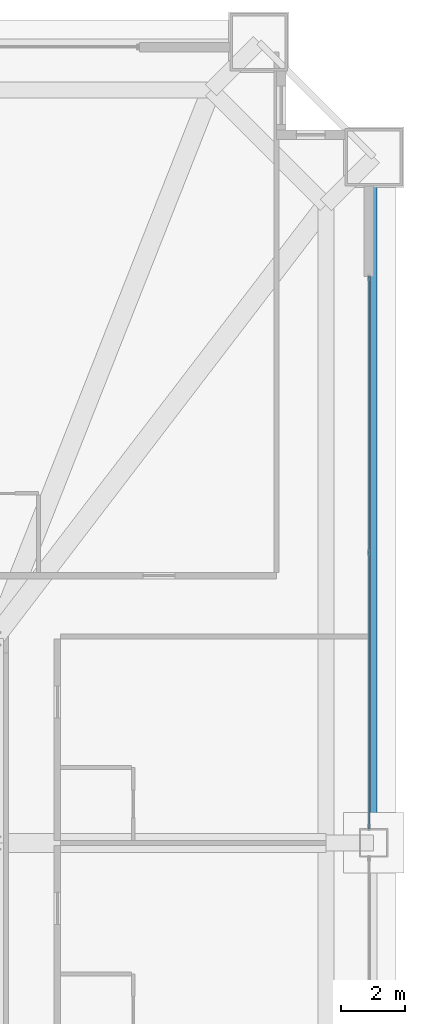
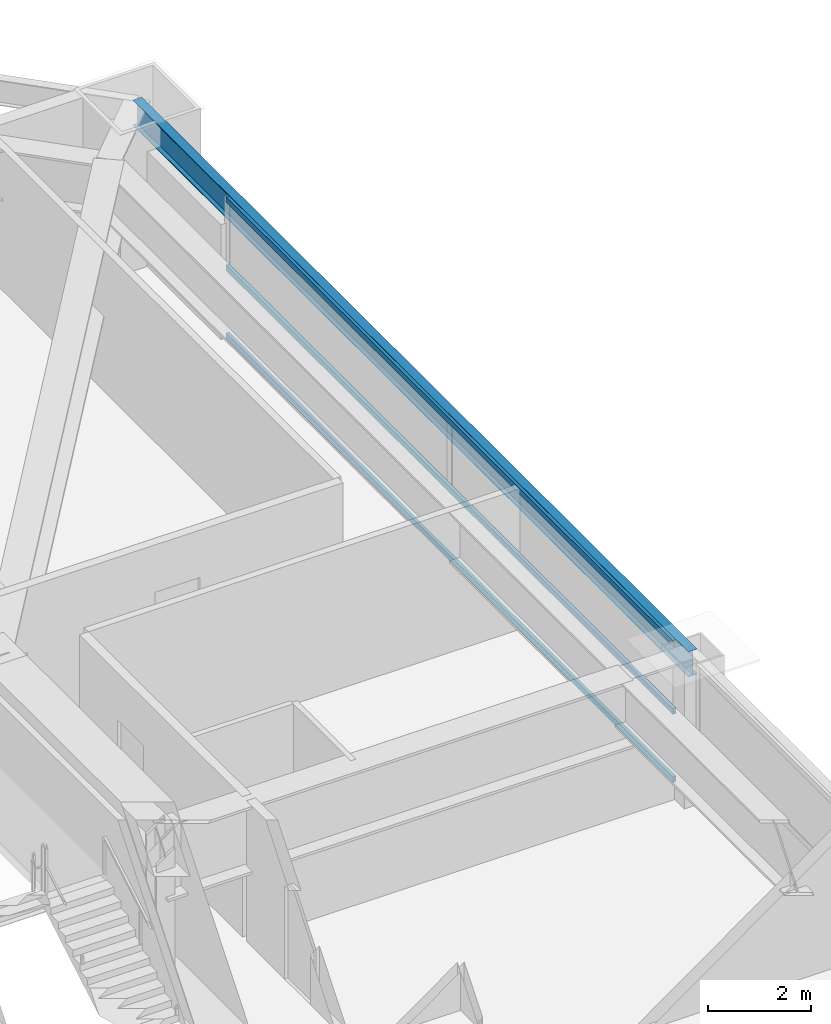
# One storey, part 33 of 44: 3 members, 1 beam, 1 element without a shape of its own.
"""IFC4 building model written with IfcOpenShell, lengths in metres."""

from ifc_helpers import new_model, si_unit, direction, frame, origin, origin_2d, place, context, subcontext, project, spatial, hollow_rectangle, i_section, extrude, source, transform, mapped, material, layer, layer_set, material_profile, profile_set, type_object, element, aggregate, save


model = new_model("IFC4")

# Units and contexts
model_context = context("Model", 3, precision=1e-05, world=origin(), true_north=direction((0.0, 1.0)))
body_context = subcontext(model_context, "Body", "Model", "MODEL_VIEW")
ifc_project = project(units=[si_unit("LENGTHUNIT", "METRE"), si_unit("AREAUNIT", "SQUARE_METRE"), si_unit("VOLUMEUNIT", "CUBIC_METRE"), si_unit("PLANEANGLEUNIT", "RADIAN"), si_unit("MASSUNIT", "GRAM", prefix="KILO"), si_unit("THERMODYNAMICTEMPERATUREUNIT", "KELVIN"), si_unit("POWERUNIT", "WATT")], contexts=[model_context])

# Site, building, storey
site_placement = place(None, origin())
site = spatial("IfcSite", under=ifc_project, at=site_placement, CompositionType="ELEMENT")
building_placement = place(site_placement, origin())
building = spatial("IfcBuilding", under=site, at=building_placement, Name="Yuzanri Waterfront Tower", CompositionType="ELEMENT")
storey_placement = place(building_placement, frame((0.0, 0.0, 82.0)))
storey = spatial("IfcBuildingStorey", under=building, at=storey_placement, Name="L21", CompositionType="ELEMENT", Elevation=82.0)

# Beam
ifc_material_1 = material(Name="Steel Q355B", Category="steel")
ifc_material_profile_1 = material_profile(ifc_material_1, i_section(OverallWidth=0.199951171875, OverallDepth=0.60009765625, WebThickness=0.010986328125, FlangeThickness=0.01708984375, at=origin_2d()), Name="HN 600x200x11x17")
ifc_profile_set_1 = profile_set([ifc_material_profile_1], Name="Steel Q355B")
beam_type = type_object("IfcBeamType", Name="Perimeter Spandrel Q355B HN 600x200", PredefinedType="SPANDREL", material=ifc_profile_set_1)
shared_shape_1 = source(origin(), body_context, "Body", "SweptSolid", [
    extrude(i_section(OverallWidth=0.199951171875, OverallDepth=0.60009765625, WebThickness=0.010986328125, FlangeThickness=0.01708984375, at=origin_2d()), origin(), (0.0, 0.0, 1.0), 21.5),
])
beam_placement = place(storey_placement, frame((62.10009765625, 25.800048828125, 3.02001953125), z_axis=(0.0, 1.0, 0.0), x_axis=(-1.0, 0.0, 0.0)))
element("IfcBeam", 1, at=beam_placement, inside=storey, type_object=beam_type, Name="L21 Perimeter Spandrel E2-E3", PredefinedType="SPANDREL", context=body_context, shape_type="MappedRepresentation", body=[
    mapped(shared_shape_1, transform((0.0, 0.0, 0.0), scale=1.0)),
])

# Curtain wall, members
ifc_material_2 = material(Name="Anodized Architectural Bronze", Category="metal")
ifc_layer = layer(ifc_material_2, 0.159912109375)
ifc_layer_set = layer_set([ifc_layer], Name="Anodized Architectural Bronze")
curtain_wall_type = type_object("IfcCurtainWallType", Name="Anodized Bronze Hotel Lower-Tier Recessed Unitized Curtain Wall 8100", PredefinedType="NOTDEFINED", material=ifc_layer_set)
curtain_wall_placement = place(storey_placement, origin())
curtain_wall = element("IfcCurtainWall", 2, at=curtain_wall_placement, inside=storey, type_object=curtain_wall_type, Name="L21 Curtain Wall CW-L21-ER", PredefinedType="NOTDEFINED")
ifc_material_3 = material(Name="Anodized Architectural Bronze", Category="metal")
ifc_material_profile_2 = material_profile(ifc_material_3, hollow_rectangle(XDim=0.070068359375, YDim=0.135009765625, WallThickness=0.00341796875, at=origin_2d()), Name="CWT 70x135")
ifc_profile_set_2 = profile_set([ifc_material_profile_2], Name="Anodized Architectural Bronze")
member_type = type_object("IfcMemberType", Name="Anodized Bronze Standard Curtain-Wall Transom 70x135", PredefinedType="USERDEFINED", material=ifc_profile_set_2)
shared_shape_2 = source(origin(), body_context, "Body", "SweptSolid", [
    extrude(hollow_rectangle(XDim=0.070068359375, YDim=0.135009765625, WallThickness=0.00341796875, at=origin_2d()), origin(), (0.0, 0.0, 1.0), 17.300048828125),
])
member_1_placement = place(storey_placement, frame((61.949951171875, 26.25, 0.050048828125), z_axis=(0.0, 1.0, 0.0), x_axis=(-1.0, 0.0, 0.0)))
member_1 = element("IfcMember", 3, at=member_1_placement, type_object=member_type, Name="CW-L21-ER Transom 1", ObjectType="TRANSOM", PredefinedType="USERDEFINED", context=body_context, shape_type="MappedRepresentation", body=[
    mapped(shared_shape_2, transform((0.0, 0.0, 0.0), scale=1.0)),
])
member_2_placement = place(storey_placement, frame((61.949951171875, 26.25, 1.659912109375), z_axis=(0.0, 1.0, 0.0), x_axis=(-1.0, 0.0, 0.0)))
member_2 = element("IfcMember", 4, at=member_2_placement, type_object=member_type, Name="CW-L21-ER Transom 2", ObjectType="TRANSOM", PredefinedType="USERDEFINED", context=body_context, shape_type="MappedRepresentation", body=[
    mapped(shared_shape_2, transform((0.0, 0.0, 0.0), scale=1.0)),
])
member_3_placement = place(storey_placement, frame((61.949951171875, 26.25, 3.27001953125), z_axis=(0.0, 1.0, 0.0), x_axis=(-1.0, 0.0, 0.0)))
member_3 = element("IfcMember", 5, at=member_3_placement, type_object=member_type, Name="CW-L21-ER Transom 3", ObjectType="TRANSOM", PredefinedType="USERDEFINED", context=body_context, shape_type="MappedRepresentation", body=[
    mapped(shared_shape_2, transform((0.0, 0.0, 0.0), scale=1.0)),
])
aggregate(curtain_wall, [member_1, member_2, member_3])

save(model, "model.ifc")
